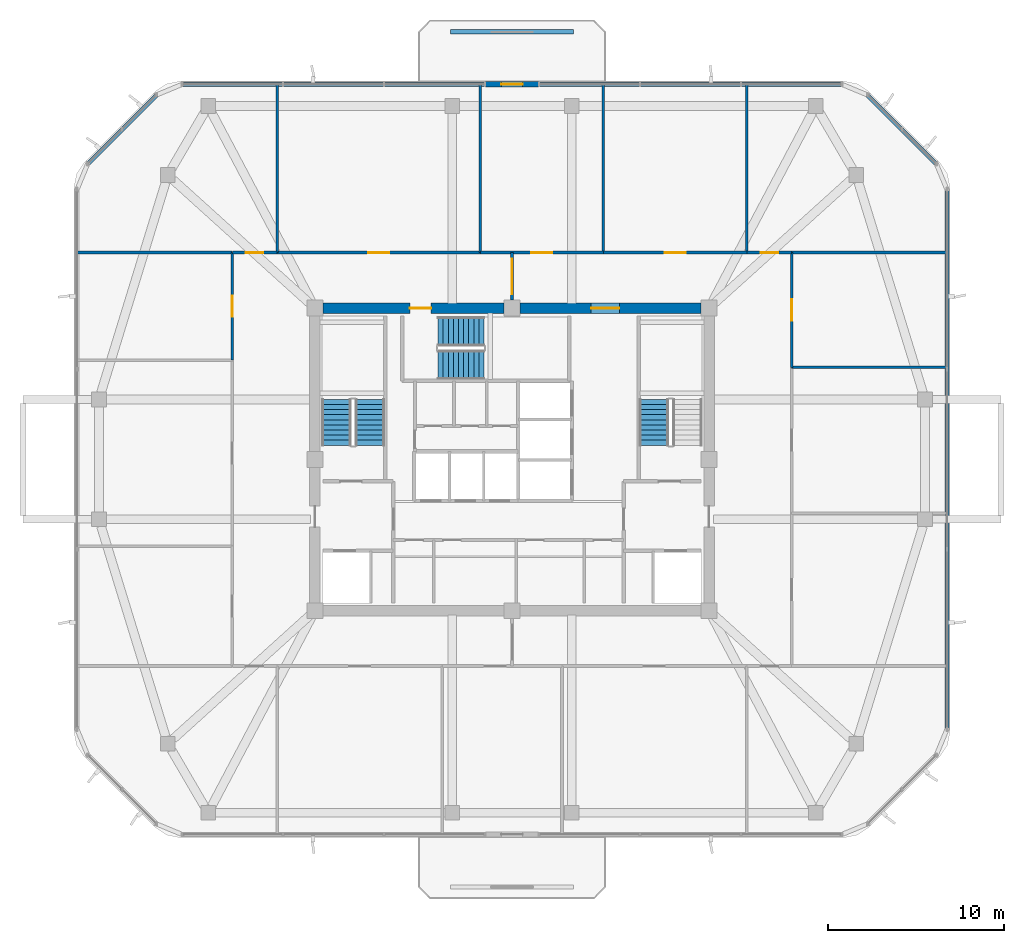
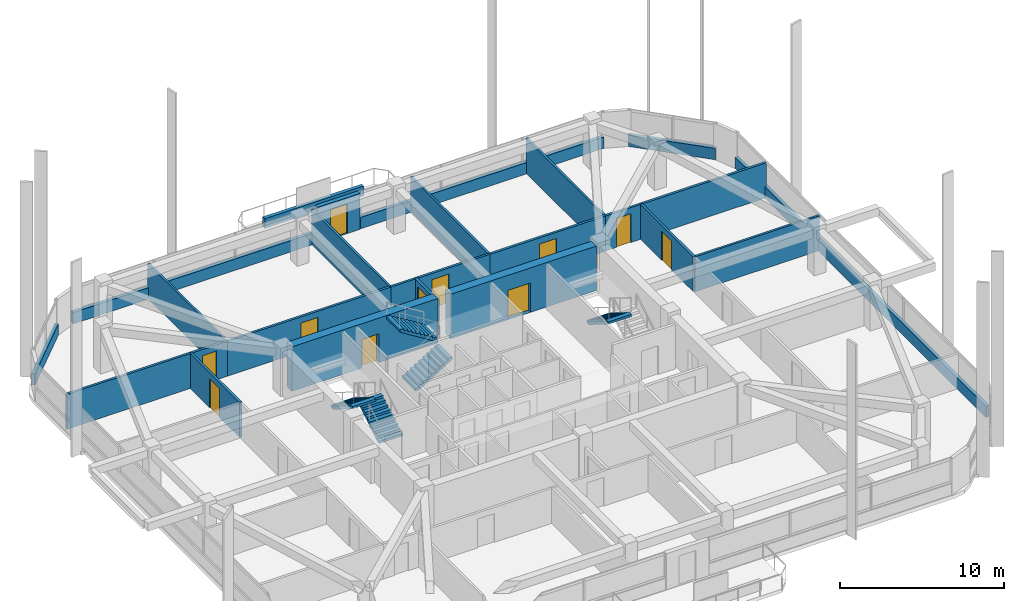
# One storey, part 9 of 13: 24 walls, 11 doors, 5 stair flights, 11 openings, 3 elements without a shape of their own.
"""IFC4 building model written with IfcOpenShell, lengths in metres."""

import ifcopenshell
import ifcopenshell.guid

model = None  # the IFC model being written
_history = None  # IfcOwnerHistory: only IFC2X3 demands one
_inside = {}  # id of a spatial element -> (the spatial element, [elements in it])
_under = {}  # id of a project, library or spatial element -> (it, [spatial elements below it])
_declared = {}  # id of a project -> (the project, [libraries it declares])
_typed = {}  # id of a type object -> (the type object, [elements of that type])
_made_of = {}  # id of a material, layer set ... -> (it, [elements and type objects made of it])


def new_model(schema):
    """Start an empty IFC model of exactly this schema.

    Asked for "IFC4X3", IfcOpenShell would pick the latest addendum, in which some entities
    have other attributes; the version numbers below select the first issue.
    IFC2X3 requires an IfcOwnerHistory on every rooted entity: one is made here for all.
    """
    global model, _history
    if schema == "IFC4X3":
        model = ifcopenshell.file(schema_version=(4, 3, 0, 0))
    else:
        model = ifcopenshell.file(schema=schema)
    _inside.clear()
    _under.clear()
    _declared.clear()
    _typed.clear()
    _made_of.clear()
    _history = None
    if model.schema == "IFC2X3":
        org = make("IfcOrganization", Name="unknown")
        user = make(
            "IfcPersonAndOrganization",
            ThePerson=make("IfcPerson", FamilyName="unknown"),
            TheOrganization=org,
        )
        app = make(
            "IfcApplication",
            ApplicationDeveloper=org,
            Version="unknown",
            ApplicationFullName="unknown",
            ApplicationIdentifier="unknown",
        )
        _history = make(
            "IfcOwnerHistory",
            OwningUser=user,
            OwningApplication=app,
            ChangeAction="ADDED",
            CreationDate=0,
        )
    return model


def make(cls, **values):
    """One entity of the class cls with the attributes given. An attribute that is None is left unset."""
    return model.create_entity(
        cls, **{name: value for name, value in values.items() if value is not None}
    )


def rooted(cls, **values):
    """An entity with a GlobalId (a new one), such as an element, a storey or a relation."""
    return make(cls, GlobalId=ifcopenshell.guid.new(), OwnerHistory=_history, **values)


def si_unit(unit_type, name, prefix=None):
    """IfcSIUnit, for example si_unit("LENGTHUNIT", "METRE", prefix="MILLI")."""
    return make("IfcSIUnit", UnitType=unit_type, Prefix=prefix, Name=name)


def derived_unit(unit_type, elements):
    """IfcDerivedUnit: a product of units, each with its exponent."""
    return make(
        "IfcDerivedUnit",
        Elements=[
            make("IfcDerivedUnitElement", Unit=unit, Exponent=power)
            for unit, power in elements
        ],
        UnitType=unit_type,
    )


def assignment(units):
    """IfcUnitAssignment: the units of a project."""
    return None if units is None else make("IfcUnitAssignment", Units=units)


def point(xyz):
    """IfcCartesianPoint."""
    return None if xyz is None else make("IfcCartesianPoint", Coordinates=xyz)


def direction(xyz):
    """IfcDirection."""
    return None if xyz is None else make("IfcDirection", DirectionRatios=xyz)


def frame(location, z_axis=None, x_axis=None):
    """IfcAxis2Placement3D, a coordinate frame: its origin and axes. An axis left out is left unset."""
    return make(
        "IfcAxis2Placement3D",
        Location=point(location),
        Axis=direction(z_axis),
        RefDirection=direction(x_axis),
    )


def frame_2d(location, x_axis=None):
    """IfcAxis2Placement2D, a coordinate frame in the plane: its origin and x axis."""
    return make(
        "IfcAxis2Placement2D", Location=point(location), RefDirection=direction(x_axis)
    )


def origin():
    """The frame at (0, 0, 0) with its axes left unset."""
    return frame((0.0, 0.0, 0.0))


def place(relative_to, where):
    """IfcLocalPlacement: puts the frame where relative to a parent placement (None: the world)."""
    return make(
        "IfcLocalPlacement", PlacementRelTo=relative_to, RelativePlacement=where
    )


def context(
    kind, dimensions, precision=None, world=None, true_north=None, identifier=None
):
    """IfcGeometricRepresentationContext, for example the 3D "Model" context."""
    return make(
        "IfcGeometricRepresentationContext",
        ContextIdentifier=identifier,
        ContextType=kind,
        CoordinateSpaceDimension=dimensions,
        Precision=precision,
        WorldCoordinateSystem=world,
        TrueNorth=true_north,
    )


def subcontext(parent, identifier, kind, view, scale=None):
    """IfcGeometricRepresentationSubContext, for example "Body" below "Model"."""
    return make(
        "IfcGeometricRepresentationSubContext",
        ContextIdentifier=identifier,
        ContextType=kind,
        ParentContext=parent,
        TargetScale=scale,
        TargetView=view,
    )


def project(units=None, contexts=None):
    """IfcProject with its units and contexts."""
    return rooted(
        "IfcProject",
        Name="project",
        RepresentationContexts=contexts,
        UnitsInContext=assignment(units),
    )


def spatial(cls, under=None, at=None, **own):
    """A site, building, storey or space (cls), placed at a placement, below another one or the project."""
    s = rooted(cls, ObjectPlacement=at, **own)
    if under is not None:
        _under.setdefault(under.id(), (under, []))[1].append(s)
    return s


def polyline(points):
    """IfcPolyline through the points."""
    return make("IfcPolyline", Points=[point(p) for p in points])


def profile(cls, at=None, kind="AREA", **sizes):
    """A parametric profile (cls). Its sizes go by their IFC names, for example OverallWidth=200.0."""
    return make(cls, ProfileType=kind, Position=at, **sizes)


def rectangle(**sizes):
    """IfcRectangleProfileDef."""
    return profile("IfcRectangleProfileDef", **sizes)


def outline(outer, holes=None, kind="AREA"):
    """IfcArbitraryClosedProfileDef: a profile drawn as a closed curve; with holes, ...WithVoids."""
    if holes is None:
        return make("IfcArbitraryClosedProfileDef", ProfileType=kind, OuterCurve=outer)
    return make(
        "IfcArbitraryProfileDefWithVoids",
        ProfileType=kind,
        OuterCurve=outer,
        InnerCurves=holes,
    )


def extrude(swept, where, along, depth):
    """IfcExtrudedAreaSolid: the profile swept, set in the frame where, extruded along a direction by depth."""
    return make(
        "IfcExtrudedAreaSolid",
        SweptArea=swept,
        Position=where,
        ExtrudedDirection=direction(along),
        Depth=depth,
    )


def shape(context_of_items, identifier, shape_type, items):
    """IfcShapeRepresentation: the items that make up one representation, for example the "Body"."""
    return make(
        "IfcShapeRepresentation",
        ContextOfItems=context_of_items,
        RepresentationIdentifier=identifier,
        RepresentationType=shape_type,
        Items=items,
    )


def material(Name=None, Category=None):
    """IfcMaterial."""
    return make("IfcMaterial", Name=Name, Category=Category)


def layer(
    of_material, thickness, ventilated=None, Name=None, Category=None, Priority=None
):
    """IfcMaterialLayer: one layer of a wall or slab, of a material (None: an air gap)."""
    return make(
        "IfcMaterialLayer",
        Material=of_material,
        LayerThickness=thickness,
        IsVentilated=ventilated,
        Name=Name,
        Category=Category,
        Priority=Priority,
    )


def layer_set(layers, Name=None):
    """IfcMaterialLayerSet."""
    return make("IfcMaterialLayerSet", MaterialLayers=layers, LayerSetName=Name)


def made_of(thing, what):
    """Note that an element or type object is made of a material, layer set ...; save() writes the relation."""
    if what is not None:
        _made_of.setdefault(what.id(), (what, []))[1].append(thing)
    return thing


def type_object(cls, material=None, **own):
    """A type object (cls), such as IfcWallType, which elements share."""
    return made_of(rooted(cls, **own), material)


def element(
    cls,
    number,
    at=None,
    inside=None,
    cuts=None,
    type_object=None,
    material=None,
    context=None,
    identifier="Body",
    shape_type=None,
    held_by="IfcProductDefinitionShape",
    body=None,
    shapes=None,
    **own,
):
    """One element of the class cls, such as IfcWall. Its Tag is "e" and its number.

    at: its placement. inside: the storey or other place that contains it. cuts: it is an
    opening in that element (IfcRelVoidsElement). A single representation is given by context,
    identifier, shape_type and body (its items); several are given by shapes. held_by: the class
    of the entity that holds the representations. save() writes the other relations.
    """
    e = rooted(cls, Tag="e%d" % number, ObjectPlacement=at, **own)
    if body is not None:
        shapes = [shape(context, identifier, shape_type, body)]
    if shapes is not None:
        e.Representation = make(held_by, Representations=shapes)
    if inside is not None:
        _inside.setdefault(inside.id(), (inside, []))[1].append(e)
    if cuts is not None:
        rooted(
            "IfcRelVoidsElement", RelatingBuildingElement=cuts, RelatedOpeningElement=e
        )
    if type_object is not None:
        _typed.setdefault(type_object.id(), (type_object, []))[1].append(e)
    return made_of(e, material)


def fill(opening, filler):
    """IfcRelFillsElement: the door or window that sits in an opening."""
    return rooted(
        "IfcRelFillsElement",
        RelatingOpeningElement=opening,
        RelatedBuildingElement=filler,
    )


def aggregate(whole, parts):
    """IfcRelAggregates: a whole, such as a stair, and the parts it consists of."""
    return rooted("IfcRelAggregates", RelatingObject=whole, RelatedObjects=parts)


def save(model, path):
    """Write the relations noted so far, then the file.

    IfcRelAggregates (storeys below a building ...), IfcRelContainedInSpatialStructure (elements
    in a storey), IfcRelDefinesByType, IfcRelAssociatesMaterial and IfcRelDeclares: one each for
    every whole, place, type object, material and project.
    """
    for whole, parts in _under.values():
        aggregate(whole, parts)
    for where, things in _inside.values():
        rooted(
            "IfcRelContainedInSpatialStructure",
            RelatedElements=things,
            RelatingStructure=where,
        )
    for kind, things in _typed.values():
        rooted("IfcRelDefinesByType", RelatedObjects=things, RelatingType=kind)
    for what, things in _made_of.values():
        rooted("IfcRelAssociatesMaterial", RelatedObjects=things, RelatingMaterial=what)
    for by, libraries in _declared.values():
        rooted("IfcRelDeclares", RelatingContext=by, RelatedDefinitions=libraries)
    model.write(path)


model = new_model("IFC4")

# Units and contexts
model_context = context("Model", 3, precision=1e-05, world=origin(), true_north=direction((0.0, 1.0)))
body_context = subcontext(model_context, "Body", "Model", "MODEL_VIEW")
ifc_project = project(units=[si_unit("LENGTHUNIT", "METRE"), si_unit("AREAUNIT", "SQUARE_METRE"), si_unit("VOLUMEUNIT", "CUBIC_METRE"), si_unit("PLANEANGLEUNIT", "RADIAN"), si_unit("MASSUNIT", "GRAM", prefix="KILO"), derived_unit("THERMALTRANSMITTANCEUNIT", [(si_unit("POWERUNIT", "WATT"), 1), (si_unit("LENGTHUNIT", "METRE"), -2), (si_unit("THERMODYNAMICTEMPERATUREUNIT", "KELVIN"), -1)])], contexts=[model_context])

# Site, building, storey
site_placement = place(None, origin())
site = spatial("IfcSite", under=ifc_project, at=site_placement, CompositionType="ELEMENT")
building_placement = place(site_placement, origin())
building = spatial("IfcBuilding", under=site, at=building_placement, Name="Koralith Skygarden Medical Center", CompositionType="ELEMENT")
storey_placement = place(building_placement, frame((0.0, 0.0, 253.6201171875)))
storey = spatial("IfcBuildingStorey", under=building, at=storey_placement, Name="L65", CompositionType="ELEMENT", Elevation=253.6201171875)

# Walls
ifc_material_1 = material(Name="Gypsum Board Partition")
ifc_layer_1 = layer(ifc_material_1, 0.14990234375)
ifc_layer_set_1 = layer_set([ifc_layer_1], Name="Gypsum Board Partition")
wall_type_1 = type_object("IfcWallType", Name="Clinical Acoustic Partition 150", PredefinedType="PARTITIONING", material=ifc_layer_set_1)
for number, where, z_axis, x_axis, name in (
    (1, (23.64990234375, 37.64990234375, 0.0), (0.0, 0.0, 1.0), (0.0, 1.0, 0.0), "L65 Clinical Acoustic Partition 150 W-PART-L65-N-01"),
    (2, (35.199951171875, 37.64990234375, 0.0), (0.0, 0.0, 1.0), (0.0, 1.0, 0.0), "L65 Clinical Acoustic Partition 150 W-PART-L65-N-02"),
    (3, (42.194091796875, 37.64990234375, 0.0), (0.0, 0.0, 1.0), (0.0, 1.0, 0.0), "L65 Clinical Acoustic Partition 150 W-PART-L65-N-03"),
    (4, (50.35009765625, 37.64990234375, 0.0), (0.0, 0.0, 1.0), (0.0, 1.0, 0.0), "L65 Clinical Acoustic Partition 150 W-PART-L65-N-04"),
):
    element("IfcWall", number, at=place(storey_placement, frame(where, z_axis=z_axis, x_axis=x_axis)), inside=storey, type_object=wall_type_1, Name=name, PredefinedType="PARTITIONING", context=body_context, shape_type="SweptSolid", body=[
        extrude(rectangle(XDim=9.550048828125, YDim=0.14990234375, at=frame_2d((4.77490234375, 0.0))), origin(), (0.0, 0.0, 1.0), 2.60986328125),
    ])
wall_1_placement = place(storey_placement, frame((52.89990234375, 31.135986328125, 0.0), z_axis=(0.0, 0.0, 1.0), x_axis=(1.0, 0.0, 0.0)))
element("IfcWall", 5, at=wall_1_placement, inside=storey, type_object=wall_type_1, Name="L65 Clinical Acoustic Partition 150 W-PART-L65-E-02", PredefinedType="PARTITIONING", context=body_context, shape_type="SweptSolid", body=[
    extrude(rectangle(XDim=8.800048828125, YDim=0.14990234375, at=frame_2d((4.39990234375, 0.0))), origin(), (0.0, 0.0, 1.0), 2.60986328125),
])
ifc_layer_2 = layer(ifc_material_1, 0.1650390625)
ifc_layer_set_2 = layer_set([ifc_layer_2], Name="Gypsum Board Partition")
wall_type_2 = type_object("IfcWallType", Name="Clinical Corridor Partition 165", PredefinedType="PARTITIONING", material=ifc_layer_set_2)
for number, where, z_axis, x_axis, name in (
    (6, (12.300048828125, 37.64990234375, 0.0), (0.0, 0.0, 1.0), (1.0, 0.0, 0.0), "L65 Clinical Corridor Partition 165 W-WB-L65-NW"),
    (7, (52.89990234375, 37.64990234375, 0.0), (0.0, 0.0, 1.0), (1.0, 0.0, 0.0), "L65 Clinical Corridor Partition 165 W-WB-L65-NE"),
):
    element("IfcWall", number, at=place(storey_placement, frame(where, z_axis=z_axis, x_axis=x_axis)), inside=storey, type_object=wall_type_2, Name=name, PredefinedType="PARTITIONING", context=body_context, shape_type="SweptSolid", body=[
        extrude(rectangle(XDim=8.800048828125, YDim=0.1650390625, at=frame_2d((4.39990234375, 0.0))), origin(), (0.0, 0.0, 1.0), 2.60986328125),
    ])

# Wall, opening, door
wall_2_placement = place(storey_placement, frame((21.10009765625, 37.64990234375, 0.0), z_axis=(0.0, 0.0, 1.0), x_axis=(1.0, 0.0, 0.0)))
wall_2 = element("IfcWall", 8, at=wall_2_placement, inside=storey, type_object=wall_type_2, Name="L65 Clinical Corridor Partition 165 W-CORR-L65-N-01", PredefinedType="PARTITIONING", context=body_context, shape_type="SweptSolid", body=[
    extrude(rectangle(XDim=2.5498046875, YDim=0.1650390625, at=frame_2d((1.27490234375, 0.0))), origin(), (0.0, 0.0, 1.0), 2.60986328125),
])
opening_1_placement = place(wall_2_placement, frame((0.77490234375, 0.0, 0.0)))
opening_1 = element("IfcOpeningElement", 9, at=opening_1_placement, cuts=wall_2, Name="Opening D-SUP", PredefinedType="OPENING", context=body_context, shape_type="SweptSolid", body=[
    extrude(rectangle(XDim=1.0, YDim=2.14990234375, at=frame_2d((0.5, 1.074951171875))), frame((0.0, 0.092529296875, 0.0), z_axis=(0.0, -1.0, 0.0), x_axis=(1.0, 0.0, 0.0)), (0.0, 0.0, 1.0), 0.18505859375),
])
ifc_material_2 = material(Name="Aluminium 6063-T6", Category="aluminium")
door_type_1 = type_object("IfcDoorType", Name="Clinical Support Door D-SUP 1000", OperationType="NOTDEFINED", PredefinedType="DOOR", material=ifc_material_2)
door_1_placement = place(opening_1_placement, origin())
door_1 = element("IfcDoor", 10, at=door_1_placement, inside=storey, type_object=door_type_1, Name="L65 Otolaryngology Audiology Exam Room 01 Door", OperationType="SINGLE_SWING_RIGHT", OverallHeight=2.14990234375, OverallWidth=1.0, PredefinedType="DOOR", context=body_context, shape_type="SweptSolid", body=[
    extrude(rectangle(XDim=1.0, YDim=2.14990234375, at=frame_2d((0.5, 1.074951171875))), frame((0.0, 0.02490234375, 0.0), z_axis=(0.0, -1.0, 0.0), x_axis=(1.0, 0.0, 0.0)), (0.0, 0.0, 1.0), 0.050048828125),
])
fill(opening_1, door_1)

wall_3_placement = place(storey_placement, frame((23.64990234375, 37.64990234375, 0.0), z_axis=(0.0, 0.0, 1.0), x_axis=(1.0, 0.0, 0.0)))
wall_3 = element("IfcWall", 11, at=wall_3_placement, inside=storey, type_object=wall_type_2, Name="L65 Clinical Corridor Partition 165 W-CORR-L65-N-02", PredefinedType="PARTITIONING", context=body_context, shape_type="SweptSolid", body=[
    extrude(rectangle(XDim=11.550048828125, YDim=0.1650390625, at=frame_2d((5.77490234375, 0.0))), origin(), (0.0, 0.0, 1.0), 2.60986328125),
])
opening_2_placement = place(wall_3_placement, frame((5.175048828125, 0.0, 0.0)))
opening_2 = element("IfcOpeningElement", 12, at=opening_2_placement, cuts=wall_3, Name="Opening D-CLN", PredefinedType="OPENING", context=body_context, shape_type="SweptSolid", body=[
    extrude(rectangle(XDim=1.199951171875, YDim=2.14990234375, at=frame_2d((0.60009765625, 1.074951171875))), frame((0.0, 0.092529296875, 0.0), z_axis=(0.0, -1.0, 0.0), x_axis=(1.0, 0.0, 0.0)), (0.0, 0.0, 1.0), 0.18505859375),
])
door_type_2 = type_object("IfcDoorType", Name="Clinical Corridor Door D-CLN 1200", OperationType="NOTDEFINED", PredefinedType="DOOR", material=ifc_material_2)
door_2_placement = place(opening_2_placement, origin())
door_2 = element("IfcDoor", 13, at=door_2_placement, inside=storey, type_object=door_type_2, Name="L65 Speech Swallow Treatment Room 02 Door", OperationType="SINGLE_SWING_LEFT", OverallHeight=2.14990234375, OverallWidth=1.199951171875, PredefinedType="DOOR", context=body_context, shape_type="SweptSolid", body=[
    extrude(rectangle(XDim=1.199951171875, YDim=2.14990234375, at=frame_2d((0.60009765625, 1.074951171875))), frame((0.0, 0.02490234375, 0.0), z_axis=(0.0, -1.0, 0.0), x_axis=(1.0, 0.0, 0.0)), (0.0, 0.0, 1.0), 0.050048828125),
])
fill(opening_2, door_2)

wall_4_placement = place(storey_placement, frame((35.199951171875, 37.64990234375, 0.0), z_axis=(0.0, 0.0, 1.0), x_axis=(1.0, 0.0, 0.0)))
wall_4 = element("IfcWall", 14, at=wall_4_placement, inside=storey, type_object=wall_type_2, Name="L65 Clinical Corridor Partition 165 W-CORR-L65-N-03", PredefinedType="PARTITIONING", context=body_context, shape_type="SweptSolid", body=[
    extrude(rectangle(XDim=6.994140625, YDim=0.1650390625, at=frame_2d((3.4970703125, 0.0))), origin(), (0.0, 0.0, 1.0), 2.60986328125),
])
opening_3_placement = place(wall_4_placement, frame((2.89697265625, 0.0, 0.0)))
opening_3 = element("IfcOpeningElement", 15, at=opening_3_placement, cuts=wall_4, Name="Opening D-CLN", PredefinedType="OPENING", context=body_context, shape_type="SweptSolid", body=[
    extrude(rectangle(XDim=1.199951171875, YDim=2.14990234375, at=frame_2d((0.60009765625, 1.074951171875))), frame((0.0, 0.092529296875, 0.0), z_axis=(0.0, -1.0, 0.0), x_axis=(1.0, 0.0, 0.0)), (0.0, 0.0, 1.0), 0.18505859375),
])
door_3_placement = place(opening_3_placement, origin())
door_3 = element("IfcDoor", 16, at=door_3_placement, inside=storey, type_object=door_type_2, Name="L65 Patient and Family Sky-Garden Day Lounge 03 Door", OperationType="SINGLE_SWING_RIGHT", OverallHeight=2.14990234375, OverallWidth=1.199951171875, PredefinedType="DOOR", context=body_context, shape_type="SweptSolid", body=[
    extrude(rectangle(XDim=1.199951171875, YDim=2.14990234375, at=frame_2d((0.60009765625, 1.074951171875))), frame((0.0, 0.02490234375, 0.0), z_axis=(0.0, -1.0, 0.0), x_axis=(1.0, 0.0, 0.0)), (0.0, 0.0, 1.0), 0.050048828125),
])
fill(opening_3, door_3)

wall_5_placement = place(storey_placement, frame((42.194091796875, 37.64990234375, 0.0), z_axis=(0.0, 0.0, 1.0), x_axis=(1.0, 0.0, 0.0)))
wall_5 = element("IfcWall", 17, at=wall_5_placement, inside=storey, type_object=wall_type_2, Name="L65 Clinical Corridor Partition 165 W-CORR-L65-N-04", PredefinedType="PARTITIONING", context=body_context, shape_type="SweptSolid", body=[
    extrude(rectangle(XDim=8.156005859375, YDim=0.1650390625, at=frame_2d((4.078125, 0.0))), origin(), (0.0, 0.0, 1.0), 2.60986328125),
])
opening_4_placement = place(wall_5_placement, frame((3.47802734375, 0.0, 0.0)))
opening_4 = element("IfcOpeningElement", 18, at=opening_4_placement, cuts=wall_5, Name="Opening D-CLN", PredefinedType="OPENING", context=body_context, shape_type="SweptSolid", body=[
    extrude(rectangle(XDim=1.199951171875, YDim=2.14990234375, at=frame_2d((0.60009765625, 1.074951171875))), frame((0.0, 0.092529296875, 0.0), z_axis=(0.0, -1.0, 0.0), x_axis=(1.0, 0.0, 0.0)), (0.0, 0.0, 1.0), 0.18505859375),
])
door_4_placement = place(opening_4_placement, origin())
door_4 = element("IfcDoor", 19, at=door_4_placement, inside=storey, type_object=door_type_2, Name="L65 Vestibular Testing Exam Room 04 Door", OperationType="SINGLE_SWING_LEFT", OverallHeight=2.14990234375, OverallWidth=1.199951171875, PredefinedType="DOOR", context=body_context, shape_type="SweptSolid", body=[
    extrude(rectangle(XDim=1.199951171875, YDim=2.14990234375, at=frame_2d((0.60009765625, 1.074951171875))), frame((0.0, 0.02490234375, 0.0), z_axis=(0.0, -1.0, 0.0), x_axis=(1.0, 0.0, 0.0)), (0.0, 0.0, 1.0), 0.050048828125),
])
fill(opening_4, door_4)

wall_6_placement = place(storey_placement, frame((50.35009765625, 37.64990234375, 0.0), z_axis=(0.0, 0.0, 1.0), x_axis=(1.0, 0.0, 0.0)))
wall_6 = element("IfcWall", 20, at=wall_6_placement, inside=storey, type_object=wall_type_2, Name="L65 Clinical Corridor Partition 165 W-CORR-L65-N-05", PredefinedType="PARTITIONING", context=body_context, shape_type="SweptSolid", body=[
    extrude(rectangle(XDim=2.5498046875, YDim=0.1650390625, at=frame_2d((1.27490234375, 0.0))), origin(), (0.0, 0.0, 1.0), 2.60986328125),
])
opening_5_placement = place(wall_6_placement, frame((0.77490234375, 0.0, 0.0)))
opening_5 = element("IfcOpeningElement", 21, at=opening_5_placement, cuts=wall_6, Name="Opening D-SUP", PredefinedType="OPENING", context=body_context, shape_type="SweptSolid", body=[
    extrude(rectangle(XDim=1.0, YDim=2.14990234375, at=frame_2d((0.5, 1.074951171875))), frame((0.0, 0.092529296875, 0.0), z_axis=(0.0, -1.0, 0.0), x_axis=(1.0, 0.0, 0.0)), (0.0, 0.0, 1.0), 0.18505859375),
])
door_5_placement = place(opening_5_placement, origin())
door_5 = element("IfcDoor", 22, at=door_5_placement, inside=storey, type_object=door_type_1, Name="L65 Clinical Consultation Office 05 Door", OperationType="SINGLE_SWING_RIGHT", OverallHeight=2.14990234375, OverallWidth=1.0, PredefinedType="DOOR", context=body_context, shape_type="SweptSolid", body=[
    extrude(rectangle(XDim=1.0, YDim=2.14990234375, at=frame_2d((0.5, 1.074951171875))), frame((0.0, 0.02490234375, 0.0), z_axis=(0.0, -1.0, 0.0), x_axis=(1.0, 0.0, 0.0)), (0.0, 0.0, 1.0), 0.050048828125),
])
fill(opening_5, door_5)

wall_7_placement = place(storey_placement, frame((21.10009765625, 31.5400390625, 0.0), z_axis=(0.0, 0.0, 1.0), x_axis=(0.0, 1.0, 0.0)))
wall_7 = element("IfcWall", 23, at=wall_7_placement, inside=storey, type_object=wall_type_2, Name="L65 Clinical Corridor Partition 165 W-CORR-L65-W-03", PredefinedType="PARTITIONING", context=body_context, shape_type="SweptSolid", body=[
    extrude(rectangle(XDim=6.10986328125, YDim=0.1650390625, at=frame_2d((3.054931640625, 0.0))), origin(), (0.0, 0.0, 1.0), 2.60986328125),
])
opening_6_placement = place(wall_7_placement, frame((2.455078125, 0.0, 0.0)))
opening_6 = element("IfcOpeningElement", 24, at=opening_6_placement, cuts=wall_7, Name="Opening D-CLN", PredefinedType="OPENING", context=body_context, shape_type="SweptSolid", body=[
    extrude(rectangle(XDim=1.199951171875, YDim=2.14990234375, at=frame_2d((0.60009765625, 1.074951171875))), frame((0.0, 0.092529296875, 0.0), z_axis=(0.0, -1.0, 0.0), x_axis=(1.0, 0.0, 0.0)), (0.0, 0.0, 1.0), 0.18505859375),
])
door_6_placement = place(opening_6_placement, frame((1.199951171875, 0.0, 0.0), z_axis=(0.0, 0.0, 1.0), x_axis=(-1.0, 0.0, 0.0)))
door_6 = element("IfcDoor", 25, at=door_6_placement, inside=storey, type_object=door_type_2, Name="L65 Vestibular Testing Exam Room 13 Door", OperationType="SINGLE_SWING_RIGHT", OverallHeight=2.14990234375, OverallWidth=1.199951171875, PredefinedType="DOOR", context=body_context, shape_type="SweptSolid", body=[
    extrude(rectangle(XDim=1.199951171875, YDim=2.14990234375, at=frame_2d((0.60009765625, 1.074951171875))), frame((0.0, 0.02490234375, 0.0), z_axis=(0.0, -1.0, 0.0), x_axis=(1.0, 0.0, 0.0)), (0.0, 0.0, 1.0), 0.050048828125),
])
fill(opening_6, door_6)

wall_8_placement = place(storey_placement, frame((52.89990234375, 31.135986328125, 0.0), z_axis=(0.0, 0.0, 1.0), x_axis=(0.0, 1.0, 0.0)))
wall_8 = element("IfcWall", 26, at=wall_8_placement, inside=storey, type_object=wall_type_2, Name="L65 Clinical Corridor Partition 165 W-CORR-L65-E-03", PredefinedType="PARTITIONING", context=body_context, shape_type="SweptSolid", body=[
    extrude(rectangle(XDim=6.513916015625, YDim=0.1650390625, at=frame_2d((3.2568359375, 0.0))), origin(), (0.0, 0.0, 1.0), 2.60986328125),
])
opening_7_placement = place(wall_8_placement, frame((2.656982421875, 0.0, 0.0)))
opening_7 = element("IfcOpeningElement", 27, at=opening_7_placement, cuts=wall_8, Name="Opening D-CLN", PredefinedType="OPENING", context=body_context, shape_type="SweptSolid", body=[
    extrude(rectangle(XDim=1.199951171875, YDim=2.14990234375, at=frame_2d((0.60009765625, 1.074951171875))), frame((0.0, 0.092529296875, 0.0), z_axis=(0.0, -1.0, 0.0), x_axis=(1.0, 0.0, 0.0)), (0.0, 0.0, 1.0), 0.18505859375),
])
door_7_placement = place(opening_7_placement, origin())
door_7 = element("IfcDoor", 28, at=door_7_placement, inside=storey, type_object=door_type_2, Name="L65 Speech Swallow Treatment Room 16 Door", OperationType="SINGLE_SWING_LEFT", OverallHeight=2.14990234375, OverallWidth=1.199951171875, PredefinedType="DOOR", context=body_context, shape_type="SweptSolid", body=[
    extrude(rectangle(XDim=1.199951171875, YDim=2.14990234375, at=frame_2d((0.60009765625, 1.074951171875))), frame((0.0, 0.02490234375, 0.0), z_axis=(0.0, -1.0, 0.0), x_axis=(1.0, 0.0, 0.0)), (0.0, 0.0, 1.0), 0.050048828125),
])
fill(opening_7, door_7)

ifc_layer_3 = layer(ifc_material_1, 0.179931640625)
ifc_layer_set_3 = layer_set([ifc_layer_3], Name="Gypsum Board Partition")
wall_type_3 = type_object("IfcWallType", Name="Group I-2 Smoke Barrier Wall 180", PredefinedType="PARTITIONING", material=ifc_layer_set_3)
wall_9_placement = place(storey_placement, frame((37.0, 34.949951171875, 0.0), z_axis=(0.0, 0.0, 1.0), x_axis=(0.0, 1.0, 0.0)))
wall_9 = element("IfcWall", 29, at=wall_9_placement, inside=storey, type_object=wall_type_3, Name="L65 Group I-2 Smoke Barrier Wall 180 W-SMK-L65-N", PredefinedType="PARTITIONING", context=body_context, shape_type="SweptSolid", body=[
    extrude(rectangle(XDim=2.699951171875, YDim=0.179931640625, at=frame_2d((1.35009765625, 0.0))), origin(), (0.0, 0.0, 1.0), 2.60986328125),
])
opening_8_placement = place(wall_9_placement, frame((0.35009765625, 0.0, 0.0)))
opening_8 = element("IfcOpeningElement", 30, at=opening_8_placement, cuts=wall_9, Name="Opening D-SMK", PredefinedType="OPENING", context=body_context, shape_type="SweptSolid", body=[
    extrude(rectangle(XDim=2.0, YDim=2.199951171875, at=frame_2d((1.0, 1.10009765625))), frame((0.0, 0.099853515625, 0.0), z_axis=(0.0, -1.0, 0.0), x_axis=(1.0, 0.0, 0.0)), (0.0, 0.0, 1.0), 0.199951171875),
])
ifc_material_3 = material(Name="Steel ASTM A500 Grade C", Category="steel")
door_type_3 = type_object("IfcDoorType", Name="Cross-Corridor Double Smoke Door FD60S 2000", OperationType="NOTDEFINED", PredefinedType="DOOR", material=ifc_material_3)
door_8_placement = place(opening_8_placement, origin())
door_8 = element("IfcDoor", 31, at=door_8_placement, inside=storey, type_object=door_type_3, Name="L65 N Smoke Compartment Cross-Corridor Door", OperationType="DOUBLE_DOOR_SINGLE_SWING", OverallHeight=2.199951171875, OverallWidth=2.0, PredefinedType="DOOR", context=body_context, shape_type="SweptSolid", body=[
    extrude(rectangle(XDim=2.0, YDim=2.199951171875, at=frame_2d((1.0, 1.10009765625))), frame((0.0, 0.02490234375, 0.0), z_axis=(0.0, -1.0, 0.0), x_axis=(1.0, 0.0, 0.0)), (0.0, 0.0, 1.0), 0.050048828125),
])
fill(opening_8, door_8)

# Walls
ifc_material_4 = material(Name="Warm Oolitic Limestone Cladding", Category="masonry")
ifc_layer_4 = layer(ifc_material_4, 0.239990234375)
ifc_layer_set_4 = layer_set([ifc_layer_4], Name="Warm Oolitic Limestone Cladding")
wall_type_4 = type_object("IfcWallType", Name="Limestone Spandrel Sill Backup Wall 240", PredefinedType="SOLIDWALL", material=ifc_layer_set_4)
wall_10_placement = place(storey_placement, frame((61.719970703125, 10.554931640625, 0.0), z_axis=(0.0, 0.0, 1.0), x_axis=(0.0, 1.0, 0.0)))
element("IfcWall", 32, at=wall_10_placement, inside=storey, type_object=wall_type_4, Name="L65 Sill Spandrel E", PredefinedType="SOLIDWALL", context=body_context, shape_type="SweptSolid", body=[
    extrude(rectangle(XDim=30.690185546875, YDim=0.239990234375, at=frame_2d((15.34521484375, 0.0))), origin(), (0.0, 0.0, 1.0), 0.849853515625),
])
wall_11_placement = place(storey_placement, frame((61.118896484375, 42.696044921875, 0.0), z_axis=(0.0, 0.0, 1.0), x_axis=(-0.707106781187, 0.707106781187, 0.0)))
element("IfcWall", 33, at=wall_11_placement, inside=storey, type_object=wall_type_4, Name="L65 Sill Spandrel NE", PredefinedType="SOLIDWALL", context=body_context, shape_type="SweptSolid", body=[
    extrude(rectangle(XDim=5.5478515625, YDim=0.239990234375, at=frame_2d((2.77392578125, 0.0))), origin(), (0.0, 0.0, 1.0), 0.849853515625),
])
wall_12_placement = place(storey_placement, frame((55.7451171875, 47.219970703125, 0.0), z_axis=(0.0, 0.0, 1.0), x_axis=(-1.0, 0.0, 0.0)))
element("IfcWall", 34, at=wall_12_placement, inside=storey, type_object=wall_type_4, Name="L65 Sill Spandrel N-L", PredefinedType="SOLIDWALL", context=body_context, shape_type="SweptSolid", body=[
    extrude(rectangle(XDim=17.2041015625, YDim=0.239990234375, at=frame_2d((8.60205078125, 0.0))), origin(), (0.0, 0.0, 1.0), 0.849853515625),
])
wall_13_placement = place(storey_placement, frame((35.4609375, 47.219970703125, 0.0), z_axis=(0.0, 0.0, 1.0), x_axis=(-1.0, 0.0, 0.0)))
element("IfcWall", 35, at=wall_13_placement, inside=storey, type_object=wall_type_4, Name="L65 Sill Spandrel N-R", PredefinedType="SOLIDWALL", context=body_context, shape_type="SweptSolid", body=[
    extrude(rectangle(XDim=17.2060546875, YDim=0.239990234375, at=frame_2d((8.60302734375, 0.0))), origin(), (0.0, 0.0, 1.0), 0.849853515625),
])
wall_14_placement = place(storey_placement, frame((16.803955078125, 46.618896484375, 0.0), z_axis=(0.0, 0.0, 1.0), x_axis=(-0.707106781187, -0.707106781187, 0.0)))
element("IfcWall", 36, at=wall_14_placement, inside=storey, type_object=wall_type_4, Name="L65 Sill Spandrel NW", PredefinedType="SOLIDWALL", context=body_context, shape_type="SweptSolid", body=[
    extrude(rectangle(XDim=5.5478515625, YDim=0.239990234375, at=frame_2d((2.77392578125, 0.0))), origin(), (0.0, 0.0, 1.0), 0.849853515625),
])

# Wall, opening, door
ifc_layer_5 = layer(ifc_material_4, 0.300048828125)
ifc_layer_set_5 = layer_set([ifc_layer_5], Name="Warm Oolitic Limestone Cladding")
wall_type_5 = type_object("IfcWallType", Name="Oolitic Limestone Insulated Facade Wall 300", PredefinedType="SOLIDWALL", material=ifc_layer_set_5)
wall_15_placement = place(storey_placement, frame((38.5009765625, 47.219970703125, 0.0), z_axis=(0.0, 0.0, 1.0), x_axis=(-1.0, 0.0, 0.0)))
wall_15 = element("IfcWall", 37, at=wall_15_placement, inside=storey, type_object=wall_type_5, Name="L65 Terrace Portal Wall N", PredefinedType="SOLIDWALL", context=body_context, shape_type="SweptSolid", body=[
    extrude(rectangle(XDim=3.0, YDim=0.300048828125, at=frame_2d((1.5, 0.0))), origin(), (0.0, 0.0, 1.0), 2.68994140625),
])
opening_9_placement = place(wall_15_placement, frame((0.89990234375, 0.0, 0.0)))
opening_9 = element("IfcOpeningElement", 38, at=opening_9_placement, cuts=wall_15, Name="Opening D-BAL", PredefinedType="OPENING", context=body_context, shape_type="SweptSolid", body=[
    extrude(rectangle(XDim=1.199951171875, YDim=2.199951171875, at=frame_2d((0.60009765625, 1.10009765625))), frame((0.0, 0.159912109375, 0.0), z_axis=(0.0, -1.0, 0.0), x_axis=(1.0, 0.0, 0.0)), (0.0, 0.0, 1.0), 0.320068359375),
])
door_type_4 = type_object("IfcDoorType", Name="Planted Balcony Glazed Terrace Door D-BAL 1200", OperationType="NOTDEFINED", PredefinedType="DOOR", material=ifc_material_2)
door_9_placement = place(opening_9_placement, origin())
door_9 = element("IfcDoor", 39, at=door_9_placement, inside=storey, type_object=door_type_4, Name="L65 N Outdoor Terrace Access Door", OperationType="SINGLE_SWING_RIGHT", OverallHeight=2.199951171875, OverallWidth=1.199951171875, PredefinedType="DOOR", context=body_context, shape_type="SweptSolid", body=[
    extrude(rectangle(XDim=1.199951171875, YDim=2.199951171875, at=frame_2d((0.60009765625, 1.10009765625))), frame((0.0, 0.02490234375, 0.0), z_axis=(0.0, -1.0, 0.0), x_axis=(1.0, 0.0, 0.0)), (0.0, 0.0, 1.0), 0.050048828125),
])
fill(opening_9, door_9)

# Wall
ifc_material_5 = material(Name="Precast concrete C40/50", Category="concrete")
ifc_layer_6 = layer(ifc_material_5, 0.25)
ifc_layer_set_6 = layer_set([ifc_layer_6], Name="Precast concrete C40/50")
wall_type_6 = type_object("IfcWallType", Name="Structural Concrete Balcony Planter Kerb 250", PredefinedType="PARAPET", material=ifc_layer_set_6)
wall_16_placement = place(storey_placement, frame((33.5, 50.199951171875, 0.0), z_axis=(0.0, 0.0, 1.0), x_axis=(1.0, 0.0, 0.0)))
element("IfcWall", 40, at=wall_16_placement, inside=storey, type_object=wall_type_6, Name="L65 N Structural Tree PLANTER Box", PredefinedType="PARAPET", context=body_context, shape_type="SweptSolid", body=[
    extrude(rectangle(XDim=7.0, YDim=0.25, at=frame_2d((3.5, 0.0))), origin(), (0.0, 0.0, 1.0), 0.719970703125),
])

# Wall, opening, door
ifc_material_6 = material(Name="Concrete C55/67", Category="concrete")
ifc_layer_7 = layer(ifc_material_6, 0.60009765625)
ifc_layer_set_7 = layer_set([ifc_layer_7], Name="Concrete C55/67")
wall_type_7 = type_object("IfcWallType", Name="Upper Core Shear Wall 600", PredefinedType="SHEAR", material=ifc_layer_set_7)
wall_17_placement = place(storey_placement, frame((47.7548828125, 34.5, 0.0), z_axis=(0.0, 0.0, 1.0), x_axis=(-1.0, 0.0, 0.0)))
wall_17 = element("IfcWall", 41, at=wall_17_placement, inside=storey, type_object=wall_type_7, Name="L65 Core Shear Wall Segment 5", PredefinedType="SHEAR", context=body_context, shape_type="SweptSolid", body=[
    extrude(rectangle(XDim=10.309814453125, YDim=0.60009765625, at=frame_2d((5.15478515625, 0.0))), origin(), (0.0, 0.0, 1.0), 3.31982421875),
])
opening_10_placement = place(wall_17_placement, frame((4.655029296875, 0.0, 0.0)))
opening_10 = element("IfcOpeningElement", 42, at=opening_10_placement, cuts=wall_17, Name="Opening D-DBL", PredefinedType="OPENING", context=body_context, shape_type="SweptSolid", body=[
    extrude(rectangle(XDim=1.60009765625, YDim=2.199951171875, at=frame_2d((0.800048828125, 1.10009765625))), frame((0.0, 0.31005859375, 0.0), z_axis=(0.0, -1.0, 0.0), x_axis=(1.0, 0.0, 0.0)), (0.0, 0.0, 1.0), 0.6201171875),
])
door_type_5 = type_object("IfcDoorType", Name="Double Clinical Suite Door D-DBL 1600", OperationType="NOTDEFINED", PredefinedType="DOOR", material=ifc_material_2)
door_10_placement = place(opening_10_placement, frame((1.60009765625, 0.0, 0.0), z_axis=(0.0, 0.0, 1.0), x_axis=(-1.0, 0.0, 0.0)))
door_10 = element("IfcDoor", 43, at=door_10_placement, inside=storey, type_object=door_type_5, Name="L65 North-East Corridor to Elevator Lobby Door", OperationType="DOUBLE_DOOR_SINGLE_SWING", OverallHeight=2.199951171875, OverallWidth=1.60009765625, PredefinedType="DOOR", context=body_context, shape_type="SweptSolid", body=[
    extrude(rectangle(XDim=1.60009765625, YDim=2.199951171875, at=frame_2d((0.800048828125, 1.10009765625))), frame((0.0, 0.02490234375, 0.0), z_axis=(0.0, -1.0, 0.0), x_axis=(1.0, 0.0, 0.0)), (0.0, 0.0, 1.0), 0.050048828125),
])
fill(opening_10, door_10)

wall_18_placement = place(storey_placement, frame((36.554931640625, 34.5, 0.0), z_axis=(0.0, 0.0, 1.0), x_axis=(-1.0, 0.0, 0.0)))
wall_18 = element("IfcWall", 44, at=wall_18_placement, inside=storey, type_object=wall_type_7, Name="L65 Core Shear Wall Segment 6", PredefinedType="SHEAR", context=body_context, shape_type="SweptSolid", body=[
    extrude(rectangle(XDim=10.309814453125, YDim=0.60009765625, at=frame_2d((5.15478515625, 0.0))), origin(), (0.0, 0.0, 1.0), 3.31982421875),
])
opening_11_placement = place(wall_18_placement, frame((4.155029296875, 0.0, 0.0)))
opening_11 = element("IfcOpeningElement", 45, at=opening_11_placement, cuts=wall_18, Name="Opening D-ST60", PredefinedType="OPENING", context=body_context, shape_type="SweptSolid", body=[
    extrude(rectangle(XDim=1.199951171875, YDim=2.14990234375, at=frame_2d((0.60009765625, 1.074951171875))), frame((0.0, 0.31005859375, 0.0), z_axis=(0.0, -1.0, 0.0), x_axis=(1.0, 0.0, 0.0)), (0.0, 0.0, 1.0), 0.6201171875),
])
door_type_6 = type_object("IfcDoorType", Name="Smokeproof Stair Fire Door FD60S 1200", OperationType="NOTDEFINED", PredefinedType="DOOR", material=ifc_material_3)
door_11_placement = place(opening_11_placement, frame((1.199951171875, 0.0, 0.0), z_axis=(0.0, 0.0, 1.0), x_axis=(-1.0, 0.0, 0.0)))
door_11 = element("IfcDoor", 46, at=door_11_placement, inside=storey, type_object=door_type_6, Name="L65 Exit Stair ST3 Fire Door", OperationType="SINGLE_SWING_LEFT", OverallHeight=2.14990234375, OverallWidth=1.199951171875, PredefinedType="DOOR", context=body_context, shape_type="SweptSolid", body=[
    extrude(rectangle(XDim=1.199951171875, YDim=2.14990234375, at=frame_2d((0.60009765625, 1.074951171875))), frame((0.0, 0.02490234375, 0.0), z_axis=(0.0, -1.0, 0.0), x_axis=(1.0, 0.0, 0.0)), (0.0, 0.0, 1.0), 0.050048828125),
])
fill(opening_11, door_11)

# Stair, stair flights
ifc_material_7 = material(Name="Concrete C45/55", Category="concrete")
stair_type = type_object("IfcStairType", Name="Core Exit Dogleg Concrete Stair", PredefinedType="HALF_TURN_STAIR", material=ifc_material_7)
stair_1_placement = place(storey_placement, origin())
stair_1 = element("IfcStair", 47, at=stair_1_placement, inside=storey, type_object=stair_type, Name="L65 Smokeproof Exit Stair ST1", PredefinedType="HALF_TURN_STAIR")
stair_flight_type = type_object("IfcStairFlightType", Name="Core Exit Concrete Stair Flight 1650", PredefinedType="STRAIGHT", material=ifc_material_7)
stair_flight_1_placement = place(storey_placement, frame((28.925048828125, 26.699951171875, 0.0), z_axis=(0.0, 0.0, 1.0), x_axis=(0.0, 1.0, 0.0)))
stair_flight_1 = element("IfcStairFlight", 48, at=stair_flight_1_placement, type_object=stair_flight_type, Name="ST1 flight 1", NumberOfRisers=10, NumberOfTreads=9, PredefinedType="STRAIGHT", RiserHeight=0.18, TreadLength=0.29, context=body_context, shape_type="SweptSolid", body=[
    extrude(outline(polyline([(0.0, 0.0), (0.0, 0.179931640625), (0.2900390625, 0.179931640625), (0.2900390625, 0.360107421875), (0.580078125, 0.360107421875), (0.580078125, 0.5400390625), (0.8701171875, 0.5400390625), (0.8701171875, 0.719970703125), (1.159912109375, 0.719970703125), (1.159912109375, 0.89990234375), (1.449951171875, 0.89990234375), (1.449951171875, 1.080078125), (1.739990234375, 1.080078125), (1.739990234375, 1.260009765625), (2.030029296875, 1.260009765625), (2.030029296875, 1.43994140625), (2.320068359375, 1.43994140625), (2.320068359375, 1.6201171875), (2.610107421875, 1.6201171875), (2.610107421875, 1.800048828125), (2.610107421875, 1.443603515625), (0.2841796875, 0.0), (0.0, 0.0)])), frame((0.0, 0.824951171875, 0.0), z_axis=(0.0, -1.0, 0.0), x_axis=(1.0, 0.0, 0.0)), (0.0, 0.0, 1.0), 1.64990234375),
])
stair_flight_2_placement = place(storey_placement, frame((27.02490234375, 29.31005859375, 1.7998046875), z_axis=(0.0, 0.0, 1.0), x_axis=(0.0, -1.0, 0.0)))
stair_flight_2 = element("IfcStairFlight", 49, at=stair_flight_2_placement, type_object=stair_flight_type, Name="ST1 flight 2", NumberOfRisers=10, NumberOfTreads=9, PredefinedType="STRAIGHT", RiserHeight=0.18, TreadLength=0.29, context=body_context, shape_type="SweptSolid", body=[
    extrude(outline(polyline([(0.0, 0.0), (0.0, 0.179931640625), (0.2900390625, 0.179931640625), (0.2900390625, 0.360107421875), (0.580078125, 0.360107421875), (0.580078125, 0.5400390625), (0.8701171875, 0.5400390625), (0.8701171875, 0.719970703125), (1.159912109375, 0.719970703125), (1.159912109375, 0.89990234375), (1.449951171875, 0.89990234375), (1.449951171875, 1.080078125), (1.739990234375, 1.080078125), (1.739990234375, 1.260009765625), (2.030029296875, 1.260009765625), (2.030029296875, 1.43994140625), (2.320068359375, 1.43994140625), (2.320068359375, 1.6201171875), (2.610107421875, 1.6201171875), (2.610107421875, 1.800048828125), (2.610107421875, 1.443603515625), (0.2841796875, 0.0), (0.0, 0.0)])), frame((0.0, 0.824951171875, 0.0), z_axis=(0.0, -1.0, 0.0), x_axis=(1.0, 0.0, 0.0)), (0.0, 0.0, 1.0), 1.64990234375),
])
aggregate(stair_1, [stair_flight_1, stair_flight_2])

# Stair, stair flight
stair_2_placement = place(storey_placement, origin())
stair_2 = element("IfcStair", 50, at=stair_2_placement, inside=storey, type_object=stair_type, Name="L65 Smokeproof Exit Stair ST2", PredefinedType="HALF_TURN_STAIR")
stair_flight_3_placement = place(storey_placement, frame((45.074951171875, 29.31005859375, 1.7998046875), z_axis=(0.0, 0.0, 1.0), x_axis=(0.0, -1.0, 0.0)))
stair_flight_3 = element("IfcStairFlight", 51, at=stair_flight_3_placement, type_object=stair_flight_type, Name="ST2 flight 2", NumberOfRisers=10, NumberOfTreads=9, PredefinedType="STRAIGHT", RiserHeight=0.18, TreadLength=0.29, context=body_context, shape_type="SweptSolid", body=[
    extrude(outline(polyline([(0.0, 0.0), (0.0, 0.179931640625), (0.2900390625, 0.179931640625), (0.2900390625, 0.360107421875), (0.580078125, 0.360107421875), (0.580078125, 0.5400390625), (0.8701171875, 0.5400390625), (0.8701171875, 0.719970703125), (1.159912109375, 0.719970703125), (1.159912109375, 0.89990234375), (1.449951171875, 0.89990234375), (1.449951171875, 1.080078125), (1.739990234375, 1.080078125), (1.739990234375, 1.260009765625), (2.030029296875, 1.260009765625), (2.030029296875, 1.43994140625), (2.320068359375, 1.43994140625), (2.320068359375, 1.6201171875), (2.610107421875, 1.6201171875), (2.610107421875, 1.800048828125), (2.610107421875, 1.443603515625), (0.2841796875, 0.0), (0.0, 0.0)])), frame((0.0, 0.824951171875, 0.0), z_axis=(0.0, -1.0, 0.0), x_axis=(1.0, 0.0, 0.0)), (0.0, 0.0, 1.0), 1.64990234375),
])
aggregate(stair_2, [stair_flight_3])

# Stair, stair flights
stair_3_placement = place(storey_placement, origin())
stair_3 = element("IfcStair", 52, at=stair_3_placement, inside=storey, type_object=stair_type, Name="L65 Smokeproof Exit Stair ST3", PredefinedType="HALF_TURN_STAIR")
stair_flight_4_placement = place(storey_placement, frame((32.800048828125, 31.27490234375, 0.0), z_axis=(0.0, 0.0, 1.0), x_axis=(1.0, 0.0, 0.0)))
stair_flight_4 = element("IfcStairFlight", 53, at=stair_flight_4_placement, type_object=stair_flight_type, Name="ST3 flight 1", NumberOfRisers=10, NumberOfTreads=9, PredefinedType="STRAIGHT", RiserHeight=0.18, TreadLength=0.29, context=body_context, shape_type="SweptSolid", body=[
    extrude(outline(polyline([(0.0, 0.0), (0.0, 0.179931640625), (0.2900390625, 0.179931640625), (0.2900390625, 0.360107421875), (0.580078125, 0.360107421875), (0.580078125, 0.5400390625), (0.8701171875, 0.5400390625), (0.8701171875, 0.719970703125), (1.159912109375, 0.719970703125), (1.159912109375, 0.89990234375), (1.449951171875, 0.89990234375), (1.449951171875, 1.080078125), (1.739990234375, 1.080078125), (1.739990234375, 1.260009765625), (2.030029296875, 1.260009765625), (2.030029296875, 1.43994140625), (2.320068359375, 1.43994140625), (2.320068359375, 1.6201171875), (2.610107421875, 1.6201171875), (2.610107421875, 1.800048828125), (2.610107421875, 1.443603515625), (0.2841796875, 0.0), (0.0, 0.0)])), frame((0.0, 0.824951171875, 0.0), z_axis=(0.0, -1.0, 0.0), x_axis=(1.0, 0.0, 0.0)), (0.0, 0.0, 1.0), 1.64990234375),
])
stair_flight_5_placement = place(storey_placement, frame((35.409912109375, 33.175048828125, 1.7998046875), z_axis=(0.0, 0.0, 1.0), x_axis=(-1.0, 0.0, 0.0)))
stair_flight_5 = element("IfcStairFlight", 54, at=stair_flight_5_placement, type_object=stair_flight_type, Name="ST3 flight 2", NumberOfRisers=10, NumberOfTreads=9, PredefinedType="STRAIGHT", RiserHeight=0.18, TreadLength=0.29, context=body_context, shape_type="SweptSolid", body=[
    extrude(outline(polyline([(0.0, 0.0), (0.0, 0.179931640625), (0.2900390625, 0.179931640625), (0.2900390625, 0.360107421875), (0.580078125, 0.360107421875), (0.580078125, 0.5400390625), (0.8701171875, 0.5400390625), (0.8701171875, 0.719970703125), (1.159912109375, 0.719970703125), (1.159912109375, 0.89990234375), (1.449951171875, 0.89990234375), (1.449951171875, 1.080078125), (1.739990234375, 1.080078125), (1.739990234375, 1.260009765625), (2.030029296875, 1.260009765625), (2.030029296875, 1.43994140625), (2.320068359375, 1.43994140625), (2.320068359375, 1.6201171875), (2.610107421875, 1.6201171875), (2.610107421875, 1.800048828125), (2.610107421875, 1.443603515625), (0.2841796875, 0.0), (0.0, 0.0)])), frame((0.0, 0.824951171875, 0.0), z_axis=(0.0, -1.0, 0.0), x_axis=(1.0, 0.0, 0.0)), (0.0, 0.0, 1.0), 1.64990234375),
])
aggregate(stair_3, [stair_flight_4, stair_flight_5])

save(model, "model.ifc")
